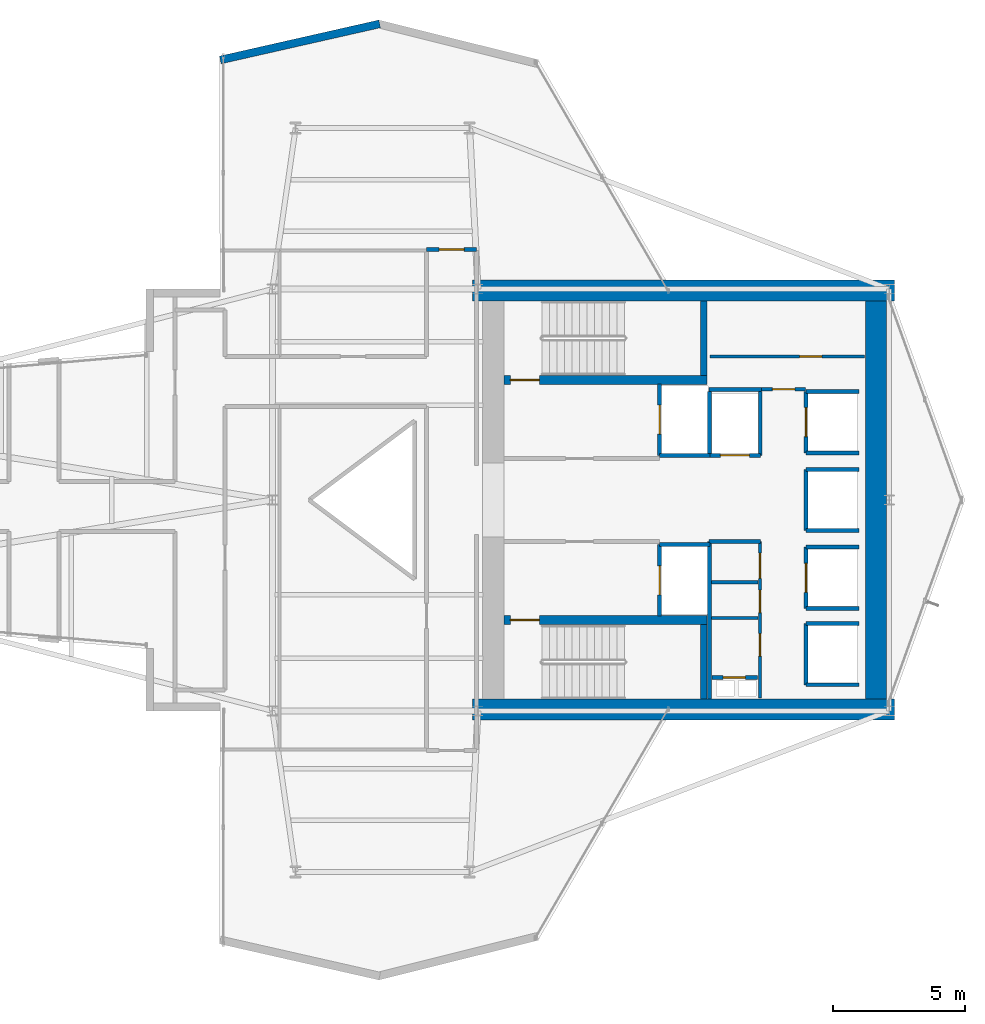
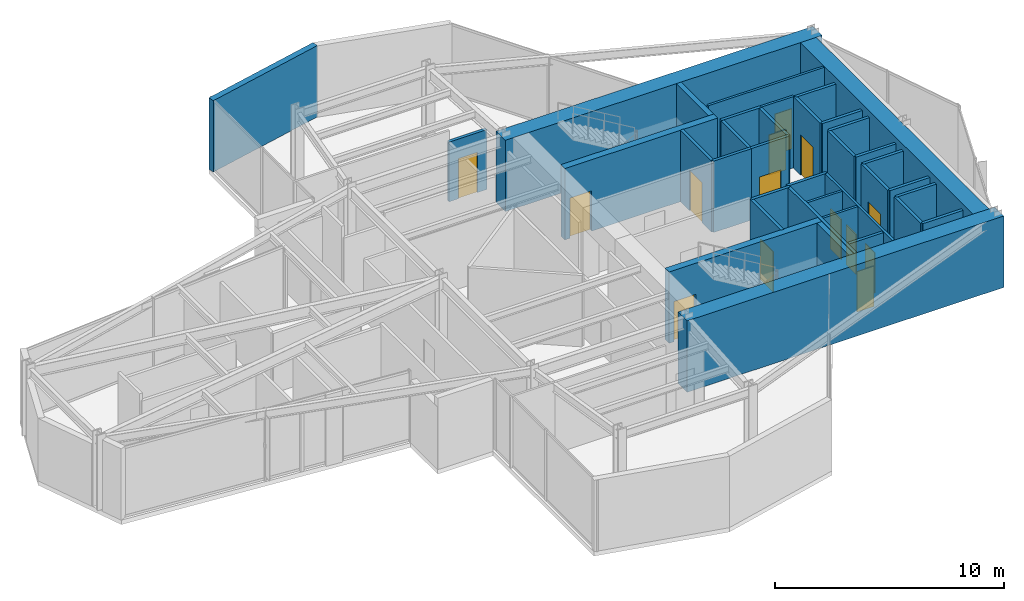
# One storey, part 23 of 25: 37 walls, 14 doors, 14 openings.
"""IFC4 building model written with IfcOpenShell, lengths in metres."""

import ifcopenshell
import ifcopenshell.guid

model = None  # the IFC model being written
_history = None  # IfcOwnerHistory: only IFC2X3 demands one
_inside = {}  # id of a spatial element -> (the spatial element, [elements in it])
_under = {}  # id of a project, library or spatial element -> (it, [spatial elements below it])
_declared = {}  # id of a project -> (the project, [libraries it declares])
_typed = {}  # id of a type object -> (the type object, [elements of that type])
_made_of = {}  # id of a material, layer set ... -> (it, [elements and type objects made of it])


def new_model(schema):
    """Start an empty IFC model of exactly this schema.

    Asked for "IFC4X3", IfcOpenShell would pick the latest addendum, in which some entities
    have other attributes; the version numbers below select the first issue.
    IFC2X3 requires an IfcOwnerHistory on every rooted entity: one is made here for all.
    """
    global model, _history
    if schema == "IFC4X3":
        model = ifcopenshell.file(schema_version=(4, 3, 0, 0))
    else:
        model = ifcopenshell.file(schema=schema)
    _inside.clear()
    _under.clear()
    _declared.clear()
    _typed.clear()
    _made_of.clear()
    _history = None
    if model.schema == "IFC2X3":
        org = make("IfcOrganization", Name="unknown")
        user = make(
            "IfcPersonAndOrganization",
            ThePerson=make("IfcPerson", FamilyName="unknown"),
            TheOrganization=org,
        )
        app = make(
            "IfcApplication",
            ApplicationDeveloper=org,
            Version="unknown",
            ApplicationFullName="unknown",
            ApplicationIdentifier="unknown",
        )
        _history = make(
            "IfcOwnerHistory",
            OwningUser=user,
            OwningApplication=app,
            ChangeAction="ADDED",
            CreationDate=0,
        )
    return model


def make(cls, **values):
    """One entity of the class cls with the attributes given. An attribute that is None is left unset."""
    return model.create_entity(
        cls, **{name: value for name, value in values.items() if value is not None}
    )


def rooted(cls, **values):
    """An entity with a GlobalId (a new one), such as an element, a storey or a relation."""
    return make(cls, GlobalId=ifcopenshell.guid.new(), OwnerHistory=_history, **values)


def si_unit(unit_type, name, prefix=None):
    """IfcSIUnit, for example si_unit("LENGTHUNIT", "METRE", prefix="MILLI")."""
    return make("IfcSIUnit", UnitType=unit_type, Prefix=prefix, Name=name)


def assignment(units):
    """IfcUnitAssignment: the units of a project."""
    return None if units is None else make("IfcUnitAssignment", Units=units)


def point(xyz):
    """IfcCartesianPoint."""
    return None if xyz is None else make("IfcCartesianPoint", Coordinates=xyz)


def direction(xyz):
    """IfcDirection."""
    return None if xyz is None else make("IfcDirection", DirectionRatios=xyz)


def frame(location, z_axis=None, x_axis=None):
    """IfcAxis2Placement3D, a coordinate frame: its origin and axes. An axis left out is left unset."""
    return make(
        "IfcAxis2Placement3D",
        Location=point(location),
        Axis=direction(z_axis),
        RefDirection=direction(x_axis),
    )


def frame_2d(location, x_axis=None):
    """IfcAxis2Placement2D, a coordinate frame in the plane: its origin and x axis."""
    return make(
        "IfcAxis2Placement2D", Location=point(location), RefDirection=direction(x_axis)
    )


def origin():
    """The frame at (0, 0, 0) with its axes left unset."""
    return frame((0.0, 0.0, 0.0))


def place(relative_to, where):
    """IfcLocalPlacement: puts the frame where relative to a parent placement (None: the world)."""
    return make(
        "IfcLocalPlacement", PlacementRelTo=relative_to, RelativePlacement=where
    )


def context(
    kind, dimensions, precision=None, world=None, true_north=None, identifier=None
):
    """IfcGeometricRepresentationContext, for example the 3D "Model" context."""
    return make(
        "IfcGeometricRepresentationContext",
        ContextIdentifier=identifier,
        ContextType=kind,
        CoordinateSpaceDimension=dimensions,
        Precision=precision,
        WorldCoordinateSystem=world,
        TrueNorth=true_north,
    )


def subcontext(parent, identifier, kind, view, scale=None):
    """IfcGeometricRepresentationSubContext, for example "Body" below "Model"."""
    return make(
        "IfcGeometricRepresentationSubContext",
        ContextIdentifier=identifier,
        ContextType=kind,
        ParentContext=parent,
        TargetScale=scale,
        TargetView=view,
    )


def project(units=None, contexts=None):
    """IfcProject with its units and contexts."""
    return rooted(
        "IfcProject",
        Name="project",
        RepresentationContexts=contexts,
        UnitsInContext=assignment(units),
    )


def spatial(cls, under=None, at=None, **own):
    """A site, building, storey or space (cls), placed at a placement, below another one or the project."""
    s = rooted(cls, ObjectPlacement=at, **own)
    if under is not None:
        _under.setdefault(under.id(), (under, []))[1].append(s)
    return s


def profile(cls, at=None, kind="AREA", **sizes):
    """A parametric profile (cls). Its sizes go by their IFC names, for example OverallWidth=200.0."""
    return make(cls, ProfileType=kind, Position=at, **sizes)


def rectangle(**sizes):
    """IfcRectangleProfileDef."""
    return profile("IfcRectangleProfileDef", **sizes)


def extrude(swept, where, along, depth):
    """IfcExtrudedAreaSolid: the profile swept, set in the frame where, extruded along a direction by depth."""
    return make(
        "IfcExtrudedAreaSolid",
        SweptArea=swept,
        Position=where,
        ExtrudedDirection=direction(along),
        Depth=depth,
    )


def shape(context_of_items, identifier, shape_type, items):
    """IfcShapeRepresentation: the items that make up one representation, for example the "Body"."""
    return make(
        "IfcShapeRepresentation",
        ContextOfItems=context_of_items,
        RepresentationIdentifier=identifier,
        RepresentationType=shape_type,
        Items=items,
    )


def material(Name=None, Category=None):
    """IfcMaterial."""
    return make("IfcMaterial", Name=Name, Category=Category)


def layer(
    of_material, thickness, ventilated=None, Name=None, Category=None, Priority=None
):
    """IfcMaterialLayer: one layer of a wall or slab, of a material (None: an air gap)."""
    return make(
        "IfcMaterialLayer",
        Material=of_material,
        LayerThickness=thickness,
        IsVentilated=ventilated,
        Name=Name,
        Category=Category,
        Priority=Priority,
    )


def layer_set(layers, Name=None):
    """IfcMaterialLayerSet."""
    return make("IfcMaterialLayerSet", MaterialLayers=layers, LayerSetName=Name)


def made_of(thing, what):
    """Note that an element or type object is made of a material, layer set ...; save() writes the relation."""
    if what is not None:
        _made_of.setdefault(what.id(), (what, []))[1].append(thing)
    return thing


def type_object(cls, material=None, **own):
    """A type object (cls), such as IfcWallType, which elements share."""
    return made_of(rooted(cls, **own), material)


def element(
    cls,
    number,
    at=None,
    inside=None,
    cuts=None,
    type_object=None,
    material=None,
    context=None,
    identifier="Body",
    shape_type=None,
    held_by="IfcProductDefinitionShape",
    body=None,
    shapes=None,
    **own,
):
    """One element of the class cls, such as IfcWall. Its Tag is "e" and its number.

    at: its placement. inside: the storey or other place that contains it. cuts: it is an
    opening in that element (IfcRelVoidsElement). A single representation is given by context,
    identifier, shape_type and body (its items); several are given by shapes. held_by: the class
    of the entity that holds the representations. save() writes the other relations.
    """
    e = rooted(cls, Tag="e%d" % number, ObjectPlacement=at, **own)
    if body is not None:
        shapes = [shape(context, identifier, shape_type, body)]
    if shapes is not None:
        e.Representation = make(held_by, Representations=shapes)
    if inside is not None:
        _inside.setdefault(inside.id(), (inside, []))[1].append(e)
    if cuts is not None:
        rooted(
            "IfcRelVoidsElement", RelatingBuildingElement=cuts, RelatedOpeningElement=e
        )
    if type_object is not None:
        _typed.setdefault(type_object.id(), (type_object, []))[1].append(e)
    return made_of(e, material)


def fill(opening, filler):
    """IfcRelFillsElement: the door or window that sits in an opening."""
    return rooted(
        "IfcRelFillsElement",
        RelatingOpeningElement=opening,
        RelatedBuildingElement=filler,
    )


def aggregate(whole, parts):
    """IfcRelAggregates: a whole, such as a stair, and the parts it consists of."""
    return rooted("IfcRelAggregates", RelatingObject=whole, RelatedObjects=parts)


def save(model, path):
    """Write the relations noted so far, then the file.

    IfcRelAggregates (storeys below a building ...), IfcRelContainedInSpatialStructure (elements
    in a storey), IfcRelDefinesByType, IfcRelAssociatesMaterial and IfcRelDeclares: one each for
    every whole, place, type object, material and project.
    """
    for whole, parts in _under.values():
        aggregate(whole, parts)
    for where, things in _inside.values():
        rooted(
            "IfcRelContainedInSpatialStructure",
            RelatedElements=things,
            RelatingStructure=where,
        )
    for kind, things in _typed.values():
        rooted("IfcRelDefinesByType", RelatedObjects=things, RelatingType=kind)
    for what, things in _made_of.values():
        rooted("IfcRelAssociatesMaterial", RelatedObjects=things, RelatingMaterial=what)
    for by, libraries in _declared.values():
        rooted("IfcRelDeclares", RelatingContext=by, RelatedDefinitions=libraries)
    model.write(path)


model = new_model("IFC4")

# Units and contexts
model_context = context("Model", 3, precision=1e-05, world=origin(), true_north=direction((0.0, 1.0)))
body_context = subcontext(model_context, "Body", "Model", "MODEL_VIEW")
ifc_project = project(units=[si_unit("LENGTHUNIT", "METRE"), si_unit("AREAUNIT", "SQUARE_METRE"), si_unit("VOLUMEUNIT", "CUBIC_METRE"), si_unit("PLANEANGLEUNIT", "RADIAN"), si_unit("MASSUNIT", "GRAM", prefix="KILO")], contexts=[model_context])

# Site, building, storey
site_placement = place(None, origin())
site = spatial("IfcSite", under=ifc_project, at=site_placement, CompositionType="ELEMENT")
building_placement = place(site_placement, origin())
building = spatial("IfcBuilding", under=site, at=building_placement, Name="Veymaron Broadcast Tower", CompositionType="ELEMENT")
storey_placement = place(building_placement, frame((0.0, 0.0, 169.5)))
storey = spatial("IfcBuildingStorey", under=building, at=storey_placement, Name="L39", CompositionType="ELEMENT", Elevation=169.5)

# Wall
ifc_material_1 = material(Name="Precast concrete C40/50 with mineral-wool insulation", Category="concrete")
ifc_layer_1 = layer(ifc_material_1, 0.300048828125)
ifc_layer_set_1 = layer_set([ifc_layer_1], Name="Precast concrete C40/50 with mineral-wool insulation")
wall_type_1 = type_object("IfcWallType", Name="WALL-EXT-300", PredefinedType="STANDARD", material=ifc_layer_set_1)
wall_1_placement = place(storey_placement, frame((35.27197265625, 42.064453125, 0.0), z_axis=(0.0, 0.0, 1.0), x_axis=(-0.975288491541, -0.220935190199, 0.0)))
element("IfcWall", 1, at=wall_1_placement, inside=storey, type_object=wall_type_1, Name="L39 notched corner facade pier 7-1", PredefinedType="STANDARD", context=body_context, shape_type="SweptSolid", body=[
    extrude(rectangle(XDim=6.200439453125, YDim=0.300048828125, at=frame_2d((3.10009765625, 0.0))), origin(), (0.0, 0.0, 1.0), 3.81005859375),
])

# Wall, opening, door
ifc_material_2 = material(Name="Gypsum fireboard and steel stud framing", Category="steel")
ifc_layer_2 = layer(ifc_material_2, 0.14990234375)
ifc_layer_set_2 = layer_set([ifc_layer_2], Name="Gypsum fireboard and steel stud framing")
wall_type_2 = type_object("IfcWallType", Name="WALL-FIRE-150", PredefinedType="PARTITIONING", material=ifc_layer_set_2)
wall_2_placement = place(storey_placement, frame((45.89501953125, 25.68994140625, 0.0), z_axis=(0.0, 0.0, 1.0), x_axis=(0.0, 1.0, 0.0)))
wall_2 = element("IfcWall", 2, at=wall_2_placement, inside=storey, type_object=wall_type_2, Name="L39 partition IW-L39-SHW-FFL-1", PredefinedType="PARTITIONING", context=body_context, shape_type="SweptSolid", body=[
    extrude(rectangle(XDim=2.719970703125, YDim=0.14990234375, at=frame_2d((1.35986328125, 0.0))), origin(), (0.0, 0.0, 1.0), 3.81005859375),
])
opening_1_placement = place(wall_2_placement, frame((0.81005859375, 0.0, 0.0)))
opening_1 = element("IfcOpeningElement", 3, at=opening_1_placement, cuts=wall_2, Name="Opening LD", PredefinedType="OPENING", context=body_context, shape_type="SweptSolid", body=[
    extrude(rectangle(XDim=1.10009765625, YDim=2.14990234375, at=frame_2d((0.550048828125, 1.074951171875))), frame((0.0, 0.0849609375, 0.0), z_axis=(0.0, -1.0, 0.0), x_axis=(1.0, 0.0, 0.0)), (0.0, 0.0, 1.0), 0.169921875),
])
ifc_material_3 = material(Name="Brushed stainless steel AISI 304", Category="steel")
door_type_1 = type_object("IfcDoorType", Name="DOOR-LIFT-1100", OperationType="DOUBLE_DOOR_SLIDING", PredefinedType="DOOR", material=ifc_material_3)
door_1_placement = place(opening_1_placement, frame((1.10009765625, 0.0, 0.0), z_axis=(0.0, 0.0, 1.0), x_axis=(-1.0, 0.0, 0.0)))
door_1 = element("IfcDoor", 4, at=door_1_placement, inside=storey, type_object=door_type_1, Name="L39 door LD-L39-FFL-1", OperationType="DOUBLE_DOOR_SLIDING", OverallHeight=2.14990234375, OverallWidth=1.10009765625, PredefinedType="DOOR", context=body_context, shape_type="SweptSolid", body=[
    extrude(rectangle(XDim=1.10009765625, YDim=2.14990234375, at=frame_2d((0.550048828125, 1.074951171875))), frame((0.0, 0.02490234375, 0.0), z_axis=(0.0, -1.0, 0.0), x_axis=(1.0, 0.0, 0.0)), (0.0, 0.0, 1.0), 0.050048828125),
])
fill(opening_1, door_1)

# Wall
wall_3_placement = place(storey_placement, frame((45.89501953125, 25.68994140625, 0.0), z_axis=(0.0, 0.0, 1.0), x_axis=(1.0, 0.0, 0.0)))
element("IfcWall", 5, at=wall_3_placement, inside=storey, type_object=wall_type_2, Name="L39 partition IW-L39-SHS-FFL-1", PredefinedType="PARTITIONING", context=body_context, shape_type="SweptSolid", body=[
    extrude(rectangle(XDim=1.9150390625, YDim=0.14990234375, at=frame_2d((0.95751953125, 0.0))), origin(), (0.0, 0.0, 1.0), 3.81005859375),
])

# Wall, opening, door
wall_4_placement = place(storey_placement, frame((45.89501953125, 19.590087890625, 0.0), z_axis=(0.0, 0.0, 1.0), x_axis=(0.0, 1.0, 0.0)))
wall_4 = element("IfcWall", 6, at=wall_4_placement, inside=storey, type_object=wall_type_2, Name="L39 partition IW-L39-SHW-FFL-2", PredefinedType="PARTITIONING", context=body_context, shape_type="SweptSolid", body=[
    extrude(rectangle(XDim=2.719970703125, YDim=0.14990234375, at=frame_2d((1.35986328125, 0.0))), origin(), (0.0, 0.0, 1.0), 3.81005859375),
])
opening_2_placement = place(wall_4_placement, frame((0.81005859375, 0.0, 0.0)))
opening_2 = element("IfcOpeningElement", 7, at=opening_2_placement, cuts=wall_4, Name="Opening LD", PredefinedType="OPENING", context=body_context, shape_type="SweptSolid", body=[
    extrude(rectangle(XDim=1.10009765625, YDim=2.14990234375, at=frame_2d((0.550048828125, 1.074951171875))), frame((0.0, 0.0849609375, 0.0), z_axis=(0.0, -1.0, 0.0), x_axis=(1.0, 0.0, 0.0)), (0.0, 0.0, 1.0), 0.169921875),
])
door_2_placement = place(opening_2_placement, frame((1.10009765625, 0.0, 0.0), z_axis=(0.0, 0.0, 1.0), x_axis=(-1.0, 0.0, 0.0)))
door_2 = element("IfcDoor", 8, at=door_2_placement, inside=storey, type_object=door_type_1, Name="L39 door LD-L39-FFL-2", OperationType="DOUBLE_DOOR_SLIDING", OverallHeight=2.14990234375, OverallWidth=1.10009765625, PredefinedType="DOOR", context=body_context, shape_type="SweptSolid", body=[
    extrude(rectangle(XDim=1.10009765625, YDim=2.14990234375, at=frame_2d((0.550048828125, 1.074951171875))), frame((0.0, 0.02490234375, 0.0), z_axis=(0.0, -1.0, 0.0), x_axis=(1.0, 0.0, 0.0)), (0.0, 0.0, 1.0), 0.050048828125),
])
fill(opening_2, door_2)

# Wall
wall_5_placement = place(storey_placement, frame((45.89501953125, 22.31005859375, 0.0), z_axis=(0.0, 0.0, 1.0), x_axis=(1.0, 0.0, 0.0)))
element("IfcWall", 9, at=wall_5_placement, inside=storey, type_object=wall_type_2, Name="L39 partition IW-L39-SHN-FFL-2", PredefinedType="PARTITIONING", context=body_context, shape_type="SweptSolid", body=[
    extrude(rectangle(XDim=1.9150390625, YDim=0.14990234375, at=frame_2d((0.95751953125, 0.0))), origin(), (0.0, 0.0, 1.0), 3.81005859375),
])

# Wall, opening, door
wall_6_placement = place(storey_placement, frame((47.7900390625, 25.695068359375, 0.0), z_axis=(0.0, 0.0, 1.0), x_axis=(1.0, 0.0, 0.0)))
wall_6 = element("IfcWall", 10, at=wall_6_placement, inside=storey, type_object=wall_type_2, Name="L39 partition IW-L39-SHS-SL-1", PredefinedType="PARTITIONING", context=body_context, shape_type="SweptSolid", body=[
    extrude(rectangle(XDim=1.919921875, YDim=0.14990234375, at=frame_2d((0.9599609375, 0.0))), origin(), (0.0, 0.0, 1.0), 3.81005859375),
])
opening_3_placement = place(wall_6_placement, frame((0.409912109375, 0.0, 0.0)))
opening_3 = element("IfcOpeningElement", 11, at=opening_3_placement, cuts=wall_6, Name="Opening LD", PredefinedType="OPENING", context=body_context, shape_type="SweptSolid", body=[
    extrude(rectangle(XDim=1.10009765625, YDim=2.14990234375, at=frame_2d((0.550048828125, 1.074951171875))), frame((0.0, 0.0849609375, 0.0), z_axis=(0.0, -1.0, 0.0), x_axis=(1.0, 0.0, 0.0)), (0.0, 0.0, 1.0), 0.169921875),
])
door_3_placement = place(opening_3_placement, frame((1.10009765625, 0.0, 0.0), z_axis=(0.0, 0.0, 1.0), x_axis=(-1.0, 0.0, 0.0)))
door_3 = element("IfcDoor", 12, at=door_3_placement, inside=storey, type_object=door_type_1, Name="L39 door LD-L39-SL-1", OperationType="DOUBLE_DOOR_SLIDING", OverallHeight=2.14990234375, OverallWidth=1.10009765625, PredefinedType="DOOR", context=body_context, shape_type="SweptSolid", body=[
    extrude(rectangle(XDim=1.10009765625, YDim=2.14990234375, at=frame_2d((0.550048828125, 1.074951171875))), frame((0.0, 0.02490234375, 0.0), z_axis=(0.0, -1.0, 0.0), x_axis=(1.0, 0.0, 0.0)), (0.0, 0.0, 1.0), 0.050048828125),
])
fill(opening_3, door_3)

# Walls
for number, where, z_axis, x_axis, name in (
    (13, (47.7900390625, 25.695068359375, 0.0), (0.0, 0.0, 1.0), (0.0, 1.0, 0.0), "L39 partition IW-L39-SHW-SL-1"),
    (14, (49.7099609375, 25.695068359375, 0.0), (0.0, 0.0, 1.0), (0.0, 1.0, 0.0), "L39 partition IW-L39-SHE-SL-1"),
):
    element("IfcWall", number, at=place(storey_placement, frame(where, z_axis=z_axis, x_axis=x_axis)), inside=storey, type_object=wall_type_2, Name=name, PredefinedType="PARTITIONING", context=body_context, shape_type="SweptSolid", body=[
        extrude(rectangle(XDim=2.4150390625, YDim=0.14990234375, at=frame_2d((1.20751953125, 0.0))), origin(), (0.0, 0.0, 1.0), 3.81005859375),
    ])

# Wall, opening, door
wall_7_placement = place(storey_placement, frame((51.445068359375, 25.7900390625, 0.0), z_axis=(0.0, 0.0, 1.0), x_axis=(0.0, 1.0, 0.0)))
wall_7 = element("IfcWall", 15, at=wall_7_placement, inside=storey, type_object=wall_type_2, Name="L39 partition IW-L39-SHW-PM1", PredefinedType="PARTITIONING", context=body_context, shape_type="SweptSolid", body=[
    extrude(rectangle(XDim=2.320068359375, YDim=0.14990234375, at=frame_2d((1.16015625, 0.0))), origin(), (0.0, 0.0, 1.0), 3.81005859375),
])
opening_4_placement = place(wall_7_placement, frame((0.610107421875, 0.0, 0.0)))
opening_4 = element("IfcOpeningElement", 16, at=opening_4_placement, cuts=wall_7, Name="Opening LD", PredefinedType="OPENING", context=body_context, shape_type="SweptSolid", body=[
    extrude(rectangle(XDim=1.10009765625, YDim=2.14990234375, at=frame_2d((0.550048828125, 1.074951171875))), frame((0.0, 0.0849609375, 0.0), z_axis=(0.0, -1.0, 0.0), x_axis=(1.0, 0.0, 0.0)), (0.0, 0.0, 1.0), 0.169921875),
])
door_4_placement = place(opening_4_placement, frame((1.10009765625, 0.0, 0.0), z_axis=(0.0, 0.0, 1.0), x_axis=(-1.0, 0.0, 0.0)))
door_4 = element("IfcDoor", 17, at=door_4_placement, inside=storey, type_object=door_type_1, Name="L39 door LD-L39-PM1", OperationType="DOUBLE_DOOR_SLIDING", OverallHeight=2.14990234375, OverallWidth=1.10009765625, PredefinedType="DOOR", context=body_context, shape_type="SweptSolid", body=[
    extrude(rectangle(XDim=1.10009765625, YDim=2.14990234375, at=frame_2d((0.550048828125, 1.074951171875))), frame((0.0, 0.02490234375, 0.0), z_axis=(0.0, -1.0, 0.0), x_axis=(1.0, 0.0, 0.0)), (0.0, 0.0, 1.0), 0.050048828125),
])
fill(opening_4, door_4)

# Walls
for number, where, z_axis, x_axis, name in (
    (18, (51.445068359375, 25.7900390625, 0.0), (0.0, 0.0, 1.0), (1.0, 0.0, 0.0), "L39 partition IW-L39-SHS-PM1"),
    (19, (51.445068359375, 28.110107421875, 0.0), (0.0, 0.0, 1.0), (1.0, 0.0, 0.0), "L39 partition IW-L39-SHN-PM1"),
):
    element("IfcWall", number, at=place(storey_placement, frame(where, z_axis=z_axis, x_axis=x_axis)), inside=storey, type_object=wall_type_2, Name=name, PredefinedType="PARTITIONING", context=body_context, shape_type="SweptSolid", body=[
        extrude(rectangle(XDim=2.014892578125, YDim=0.14990234375, at=frame_2d((1.00732421875, 0.0))), origin(), (0.0, 0.0, 1.0), 3.81005859375),
    ])

# Wall, opening, door
wall_8_placement = place(storey_placement, frame((51.445068359375, 19.889892578125, 0.0), z_axis=(0.0, 0.0, 1.0), x_axis=(0.0, 1.0, 0.0)))
wall_8 = element("IfcWall", 20, at=wall_8_placement, inside=storey, type_object=wall_type_2, Name="L39 partition IW-L39-SHW-PM2", PredefinedType="PARTITIONING", context=body_context, shape_type="SweptSolid", body=[
    extrude(rectangle(XDim=2.320068359375, YDim=0.14990234375, at=frame_2d((1.16015625, 0.0))), origin(), (0.0, 0.0, 1.0), 3.81005859375),
])
opening_5_placement = place(wall_8_placement, frame((0.610107421875, 0.0, 0.0)))
opening_5 = element("IfcOpeningElement", 21, at=opening_5_placement, cuts=wall_8, Name="Opening LD", PredefinedType="OPENING", context=body_context, shape_type="SweptSolid", body=[
    extrude(rectangle(XDim=1.10009765625, YDim=2.14990234375, at=frame_2d((0.550048828125, 1.074951171875))), frame((0.0, 0.0849609375, 0.0), z_axis=(0.0, -1.0, 0.0), x_axis=(1.0, 0.0, 0.0)), (0.0, 0.0, 1.0), 0.169921875),
])
door_5_placement = place(opening_5_placement, frame((1.10009765625, 0.0, 0.0), z_axis=(0.0, 0.0, 1.0), x_axis=(-1.0, 0.0, 0.0)))
door_5 = element("IfcDoor", 22, at=door_5_placement, inside=storey, type_object=door_type_1, Name="L39 door LD-L39-PM2", OperationType="DOUBLE_DOOR_SLIDING", OverallHeight=2.14990234375, OverallWidth=1.10009765625, PredefinedType="DOOR", context=body_context, shape_type="SweptSolid", body=[
    extrude(rectangle(XDim=1.10009765625, YDim=2.14990234375, at=frame_2d((0.550048828125, 1.074951171875))), frame((0.0, 0.02490234375, 0.0), z_axis=(0.0, -1.0, 0.0), x_axis=(1.0, 0.0, 0.0)), (0.0, 0.0, 1.0), 0.050048828125),
])
fill(opening_5, door_5)

# Walls
for number, where, z_axis, x_axis, name in (
    (23, (51.445068359375, 19.889892578125, 0.0), (0.0, 0.0, 1.0), (1.0, 0.0, 0.0), "L39 partition IW-L39-SHS-PM2"),
    (24, (51.445068359375, 22.2099609375, 0.0), (0.0, 0.0, 1.0), (1.0, 0.0, 0.0), "L39 partition IW-L39-SHN-PM2"),
):
    element("IfcWall", number, at=place(storey_placement, frame(where, z_axis=z_axis, x_axis=x_axis)), inside=storey, type_object=wall_type_2, Name=name, PredefinedType="PARTITIONING", context=body_context, shape_type="SweptSolid", body=[
        extrude(rectangle(XDim=2.014892578125, YDim=0.14990234375, at=frame_2d((1.00732421875, 0.0))), origin(), (0.0, 0.0, 1.0), 3.81005859375),
    ])
wall_9_placement = place(storey_placement, frame((51.445068359375, 22.840087890625, 0.0), z_axis=(0.0, 0.0, 1.0), x_axis=(0.0, 1.0, 0.0)))
element("IfcWall", 25, at=wall_9_placement, inside=storey, type_object=wall_type_2, Name="L39 partition IW-L39-SHW-PM3", PredefinedType="PARTITIONING", context=body_context, shape_type="SweptSolid", body=[
    extrude(rectangle(XDim=2.31982421875, YDim=0.14990234375, at=frame_2d((1.159912109375, 0.0))), origin(), (0.0, 0.0, 1.0), 3.81005859375),
])
for number, where, z_axis, x_axis, name in (
    (26, (51.445068359375, 22.840087890625, 0.0), (0.0, 0.0, 1.0), (1.0, 0.0, 0.0), "L39 partition IW-L39-SHS-PM3"),
    (27, (51.445068359375, 25.159912109375, 0.0), (0.0, 0.0, 1.0), (1.0, 0.0, 0.0), "L39 partition IW-L39-SHN-PM3"),
):
    element("IfcWall", number, at=place(storey_placement, frame(where, z_axis=z_axis, x_axis=x_axis)), inside=storey, type_object=wall_type_2, Name=name, PredefinedType="PARTITIONING", context=body_context, shape_type="SweptSolid", body=[
        extrude(rectangle(XDim=2.014892578125, YDim=0.14990234375, at=frame_2d((1.00732421875, 0.0))), origin(), (0.0, 0.0, 1.0), 3.81005859375),
    ])
wall_10_placement = place(storey_placement, frame((51.445068359375, 16.989990234375, 0.0), z_axis=(0.0, 0.0, 1.0), x_axis=(0.0, 1.0, 0.0)))
element("IfcWall", 28, at=wall_10_placement, inside=storey, type_object=wall_type_2, Name="L39 partition IW-L39-SHW-PH1", PredefinedType="PARTITIONING", context=body_context, shape_type="SweptSolid", body=[
    extrude(rectangle(XDim=2.320068359375, YDim=0.14990234375, at=frame_2d((1.16015625, 0.0))), origin(), (0.0, 0.0, 1.0), 3.81005859375),
])
for number, where, z_axis, x_axis, name in (
    (29, (51.445068359375, 16.989990234375, 0.0), (0.0, 0.0, 1.0), (1.0, 0.0, 0.0), "L39 partition IW-L39-SHS-PH1"),
    (30, (51.445068359375, 19.31005859375, 0.0), (0.0, 0.0, 1.0), (1.0, 0.0, 0.0), "L39 partition IW-L39-SHN-PH1"),
):
    element("IfcWall", number, at=place(storey_placement, frame(where, z_axis=z_axis, x_axis=x_axis)), inside=storey, type_object=wall_type_2, Name=name, PredefinedType="PARTITIONING", context=body_context, shape_type="SweptSolid", body=[
        extrude(rectangle(XDim=2.014892578125, YDim=0.14990234375, at=frame_2d((1.00732421875, 0.0))), origin(), (0.0, 0.0, 1.0), 3.81005859375),
    ])

# Wall, opening, door
wall_11_placement = place(storey_placement, frame((47.8798828125, 17.260009765625, 0.0), z_axis=(0.0, 0.0, 1.0), x_axis=(1.0, 0.0, 0.0)))
wall_11 = element("IfcWall", 31, at=wall_11_placement, inside=storey, type_object=wall_type_2, Name="L39 partition IW-L39-RIS-N", PredefinedType="PARTITIONING", context=body_context, shape_type="SweptSolid", body=[
    extrude(rectangle(XDim=1.72021484375, YDim=0.14990234375, at=frame_2d((0.860107421875, 0.0))), origin(), (0.0, 0.0, 1.0), 3.81005859375),
])
opening_6_placement = place(wall_11_placement, frame((0.419921875, 0.0, 0.0)))
opening_6 = element("IfcOpeningElement", 32, at=opening_6_placement, cuts=wall_11, Name="Opening ID-RS1", PredefinedType="OPENING", context=body_context, shape_type="SweptSolid", body=[
    extrude(rectangle(XDim=0.85009765625, YDim=2.14990234375, at=frame_2d((0.425048828125, 1.074951171875))), frame((0.0, 0.0849609375, 0.0), z_axis=(0.0, -1.0, 0.0), x_axis=(1.0, 0.0, 0.0)), (0.0, 0.0, 1.0), 0.169921875),
])
ifc_material_4 = material(Name="Fire-rated powder-coated steel riser leaf", Category="steel")
door_type_2 = type_object("IfcDoorType", Name="DOOR-RIS-850", OperationType="NOTDEFINED", PredefinedType="TRAPDOOR", material=ifc_material_4)
door_6_placement = place(opening_6_placement, origin())
door_6 = element("IfcDoor", 33, at=door_6_placement, inside=storey, type_object=door_type_2, Name="L39 door DR-L39-RIS", OperationType="SINGLE_SWING_LEFT", OverallHeight=2.14990234375, OverallWidth=0.85009765625, PredefinedType="TRAPDOOR", context=body_context, shape_type="SweptSolid", body=[
    extrude(rectangle(XDim=0.85009765625, YDim=2.14990234375, at=frame_2d((0.425048828125, 1.074951171875))), frame((0.0, 0.02490234375, 0.0), z_axis=(0.0, -1.0, 0.0), x_axis=(1.0, 0.0, 0.0)), (0.0, 0.0, 1.0), 0.050048828125),
])
fill(opening_6, door_6)

# Walls
wall_12_placement = place(storey_placement, frame((47.760009765625, 22.425048828125, 0.0), z_axis=(0.0, 0.0, 1.0), x_axis=(1.0, 0.0, 0.0)))
element("IfcWall", 34, at=wall_12_placement, inside=storey, type_object=wall_type_2, Name="L39 partition IW-L39-SM-N", PredefinedType="PARTITIONING", context=body_context, shape_type="SweptSolid", body=[
    extrude(rectangle(XDim=1.9599609375, YDim=0.14990234375, at=frame_2d((0.97998046875, 0.0))), origin(), (0.0, 0.0, 1.0), 3.81005859375),
])
wall_13_placement = place(storey_placement, frame((47.780029296875, 16.449951171875, 0.0), z_axis=(0.0, 0.0, 1.0), x_axis=(0.0, 1.0, 0.0)))
element("IfcWall", 35, at=wall_13_placement, inside=storey, type_object=wall_type_2, Name="L39 partition IW-L39-SM-W", PredefinedType="PARTITIONING", context=body_context, shape_type="SweptSolid", body=[
    extrude(rectangle(XDim=5.97509765625, YDim=0.14990234375, at=frame_2d((2.987548828125, 0.0))), origin(), (0.0, 0.0, 1.0), 3.81005859375),
])
wall_14_placement = place(storey_placement, frame((47.760009765625, 28.199951171875, 0.0), z_axis=(0.0, 0.0, 1.0), x_axis=(1.0, 0.0, 0.0)))
element("IfcWall", 36, at=wall_14_placement, inside=storey, type_object=wall_type_2, Name="L39 partition IW-L39-F1-SW", PredefinedType="PARTITIONING", context=body_context, shape_type="SweptSolid", body=[
    extrude(rectangle(XDim=1.989990234375, YDim=0.14990234375, at=frame_2d((0.9951171875, 0.0))), origin(), (0.0, 0.0, 1.0), 3.81005859375),
])

# Wall, opening, door
wall_15_placement = place(storey_placement, frame((37.050048828125, 33.5, 0.0), z_axis=(0.0, 0.0, 1.0), x_axis=(1.0, 0.0, 0.0)))
wall_15 = element("IfcWall", 37, at=wall_15_placement, inside=storey, type_object=wall_type_2, Name="L39 partition IW-L39-P27", PredefinedType="PARTITIONING", context=body_context, shape_type="SweptSolid", body=[
    extrude(rectangle(XDim=1.89990234375, YDim=0.14990234375, at=frame_2d((0.949951171875, 0.0))), origin(), (0.0, 0.0, 1.0), 3.18994140625),
])
opening_7_placement = place(wall_15_placement, frame((0.47509765625, 0.0, 0.0)))
opening_7 = element("IfcOpeningElement", 38, at=opening_7_placement, cuts=wall_15, Name="Opening ID-RM1", PredefinedType="OPENING", context=body_context, shape_type="SweptSolid", body=[
    extrude(rectangle(XDim=0.949951171875, YDim=2.14990234375, at=frame_2d((0.47509765625, 1.074951171875))), frame((0.0, 0.0849609375, 0.0), z_axis=(0.0, -1.0, 0.0), x_axis=(1.0, 0.0, 0.0)), (0.0, 0.0, 1.0), 0.169921875),
])
ifc_material_5 = material(Name="Acoustic solid-core European oak veneer timber", Category="wood")
door_type_3 = type_object("IfcDoorType", Name="DOOR-INT-950", OperationType="NOTDEFINED", PredefinedType="DOOR", material=ifc_material_5)
door_7_placement = place(opening_7_placement, origin())
door_7 = element("IfcDoor", 39, at=door_7_placement, inside=storey, type_object=door_type_3, Name="L39 door DR-L39-P27", OperationType="SINGLE_SWING_RIGHT", OverallHeight=2.14990234375, OverallWidth=0.949951171875, PredefinedType="DOOR", context=body_context, shape_type="SweptSolid", body=[
    extrude(rectangle(XDim=0.949951171875, YDim=2.14990234375, at=frame_2d((0.47509765625, 1.074951171875))), frame((0.0, 0.02490234375, 0.0), z_axis=(0.0, -1.0, 0.0), x_axis=(1.0, 0.0, 0.0)), (0.0, 0.0, 1.0), 0.050048828125),
])
fill(opening_7, door_7)

# Walls
ifc_material_6 = material(Name="Acoustic gypsum board and galvanized stud", Category="gypsum")
ifc_layer_3 = layer(ifc_material_6, 0.1201171875)
ifc_layer_set_3 = layer_set([ifc_layer_3], Name="Acoustic gypsum board and galvanized stud")
wall_type_3 = type_object("IfcWallType", Name="WALL-PART-120", PredefinedType="PARTITIONING", material=ifc_layer_set_3)
for number, where, z_axis, x_axis, name in (
    (40, (47.860107421875, 19.52001953125, 0.0), (0.0, 0.0, 1.0), (1.0, 0.0, 0.0), "L39 partition IW-L39-SM-D1"),
    (41, (47.860107421875, 20.8798828125, 0.0), (0.0, 0.0, 1.0), (1.0, 0.0, 0.0), "L39 partition IW-L39-SM-D2"),
):
    element("IfcWall", number, at=place(storey_placement, frame(where, z_axis=z_axis, x_axis=x_axis)), inside=storey, type_object=wall_type_3, Name=name, PredefinedType="PARTITIONING", context=body_context, shape_type="SweptSolid", body=[
        extrude(rectangle(XDim=1.760009765625, YDim=0.1201171875, at=frame_2d((0.8798828125, 0.0))), origin(), (0.0, 0.0, 1.0), 3.81005859375),
    ])

# Wall, openings, doors
wall_16_placement = place(storey_placement, frame((49.699951171875, 16.47998046875, 0.0), z_axis=(0.0, 0.0, 1.0), x_axis=(0.0, 1.0, 0.0)))
wall_16 = element("IfcWall", 42, at=wall_16_placement, inside=storey, type_object=wall_type_3, Name="L39 partition IW-L39-SM-E", PredefinedType="PARTITIONING", context=body_context, shape_type="SweptSolid", body=[
    extrude(rectangle(XDim=5.945068359375, YDim=0.1201171875, at=frame_2d((2.97265625, 0.0))), origin(), (0.0, 0.0, 1.0), 3.81005859375),
])
opening_8_placement = place(wall_16_placement, frame((1.60009765625, 0.0, 0.0)))
opening_8 = element("IfcOpeningElement", 43, at=opening_8_placement, cuts=wall_16, Name="Opening ID-WC1", PredefinedType="OPENING", context=body_context, shape_type="SweptSolid", body=[
    extrude(rectangle(XDim=0.85009765625, YDim=2.14990234375, at=frame_2d((0.425048828125, 1.074951171875))), frame((0.0, 0.070068359375, 0.0), z_axis=(0.0, -1.0, 0.0), x_axis=(1.0, 0.0, 0.0)), (0.0, 0.0, 1.0), 0.14013671875),
])
opening_9_placement = place(wall_16_placement, frame((3.25, 0.0, 0.0)))
opening_9 = element("IfcOpeningElement", 44, at=opening_9_placement, cuts=wall_16, Name="Opening ID-WC1", PredefinedType="OPENING", context=body_context, shape_type="SweptSolid", body=[
    extrude(rectangle(XDim=0.85009765625, YDim=2.14990234375, at=frame_2d((0.425048828125, 1.074951171875))), frame((0.0, 0.070068359375, 0.0), z_axis=(0.0, -1.0, 0.0), x_axis=(1.0, 0.0, 0.0)), (0.0, 0.0, 1.0), 0.14013671875),
])
opening_10_placement = place(wall_16_placement, frame((4.550048828125, 0.0, 0.0)))
opening_10 = element("IfcOpeningElement", 45, at=opening_10_placement, cuts=wall_16, Name="Opening ID-RM1", PredefinedType="OPENING", context=body_context, shape_type="SweptSolid", body=[
    extrude(rectangle(XDim=0.949951171875, YDim=2.14990234375, at=frame_2d((0.47509765625, 1.074951171875))), frame((0.0, 0.070068359375, 0.0), z_axis=(0.0, -1.0, 0.0), x_axis=(1.0, 0.0, 0.0)), (0.0, 0.0, 1.0), 0.14013671875),
])
ifc_material_7 = material(Name="Moisture-resistant high-pressure laminate timber", Category="wood")
door_type_4 = type_object("IfcDoorType", Name="DOOR-INT-850", OperationType="NOTDEFINED", PredefinedType="DOOR", material=ifc_material_7)
door_8_placement = place(opening_8_placement, frame((0.85009765625, 0.0, 0.0), z_axis=(0.0, 0.0, 1.0), x_axis=(-1.0, 0.0, 0.0)))
door_8 = element("IfcDoor", 46, at=door_8_placement, inside=storey, type_object=door_type_4, Name="L39 door DR-L39-JST", OperationType="SINGLE_SWING_LEFT", OverallHeight=2.14990234375, OverallWidth=0.85009765625, PredefinedType="DOOR", context=body_context, shape_type="SweptSolid", body=[
    extrude(rectangle(XDim=0.85009765625, YDim=2.14990234375, at=frame_2d((0.425048828125, 1.074951171875))), frame((0.0, 0.02490234375, 0.0), z_axis=(0.0, -1.0, 0.0), x_axis=(1.0, 0.0, 0.0)), (0.0, 0.0, 1.0), 0.050048828125),
])
fill(opening_8, door_8)
door_9_placement = place(opening_9_placement, frame((0.85009765625, 0.0, 0.0), z_axis=(0.0, 0.0, 1.0), x_axis=(-1.0, 0.0, 0.0)))
door_9 = element("IfcDoor", 47, at=door_9_placement, inside=storey, type_object=door_type_4, Name="L39 door DR-L39-SWC", OperationType="SINGLE_SWING_RIGHT", OverallHeight=2.14990234375, OverallWidth=0.85009765625, PredefinedType="DOOR", context=body_context, shape_type="SweptSolid", body=[
    extrude(rectangle(XDim=0.85009765625, YDim=2.14990234375, at=frame_2d((0.425048828125, 1.074951171875))), frame((0.0, 0.02490234375, 0.0), z_axis=(0.0, -1.0, 0.0), x_axis=(1.0, 0.0, 0.0)), (0.0, 0.0, 1.0), 0.050048828125),
])
fill(opening_9, door_9)
door_10_placement = place(opening_10_placement, frame((0.949951171875, 0.0, 0.0), z_axis=(0.0, 0.0, 1.0), x_axis=(-1.0, 0.0, 0.0)))
door_10 = element("IfcDoor", 48, at=door_10_placement, inside=storey, type_object=door_type_3, Name="L39 door DR-L39-AWC", OperationType="SINGLE_SWING_LEFT", OverallHeight=2.14990234375, OverallWidth=0.949951171875, PredefinedType="DOOR", context=body_context, shape_type="SweptSolid", body=[
    extrude(rectangle(XDim=0.949951171875, YDim=2.14990234375, at=frame_2d((0.47509765625, 1.074951171875))), frame((0.0, 0.02490234375, 0.0), z_axis=(0.0, -1.0, 0.0), x_axis=(1.0, 0.0, 0.0)), (0.0, 0.0, 1.0), 0.050048828125),
])
fill(opening_10, door_10)

# Wall, opening, door
wall_17_placement = place(storey_placement, frame((49.75, 28.199951171875, 0.0), z_axis=(0.0, 0.0, 1.0), x_axis=(1.0, 0.0, 0.0)))
wall_17 = element("IfcWall", 49, at=wall_17_placement, inside=storey, type_object=wall_type_3, Name="L39 partition IW-L39-F1-S", PredefinedType="PARTITIONING", context=body_context, shape_type="SweptSolid", body=[
    extrude(rectangle(XDim=1.669921875, YDim=0.1201171875, at=frame_2d((0.8349609375, 0.0))), origin(), (0.0, 0.0, 1.0), 3.81005859375),
])
opening_11_placement = place(wall_17_placement, frame((0.419921875, 0.0, 0.0)))
opening_11 = element("IfcOpeningElement", 50, at=opening_11_placement, cuts=wall_17, Name="Opening ID-WC1", PredefinedType="OPENING", context=body_context, shape_type="SweptSolid", body=[
    extrude(rectangle(XDim=0.85009765625, YDim=2.14990234375, at=frame_2d((0.425048828125, 1.074951171875))), frame((0.0, 0.070068359375, 0.0), z_axis=(0.0, -1.0, 0.0), x_axis=(1.0, 0.0, 0.0)), (0.0, 0.0, 1.0), 0.14013671875),
])
door_11_placement = place(opening_11_placement, origin())
door_11 = element("IfcDoor", 51, at=door_11_placement, inside=storey, type_object=door_type_4, Name="L39 door DR-L39-F1A", OperationType="SINGLE_SWING_LEFT", OverallHeight=2.14990234375, OverallWidth=0.85009765625, PredefinedType="DOOR", context=body_context, shape_type="SweptSolid", body=[
    extrude(rectangle(XDim=0.85009765625, YDim=2.14990234375, at=frame_2d((0.425048828125, 1.074951171875))), frame((0.0, 0.02490234375, 0.0), z_axis=(0.0, -1.0, 0.0), x_axis=(1.0, 0.0, 0.0)), (0.0, 0.0, 1.0), 0.050048828125),
])
fill(opening_11, door_11)

wall_18_placement = place(storey_placement, frame((47.800048828125, 29.449951171875, 0.0), z_axis=(0.0, 0.0, 1.0), x_axis=(1.0, 0.0, 0.0)))
wall_18 = element("IfcWall", 52, at=wall_18_placement, inside=storey, type_object=wall_type_3, Name="L39 partition IW-L39-F1-MY", PredefinedType="PARTITIONING", context=body_context, shape_type="SweptSolid", body=[
    extrude(rectangle(XDim=5.85986328125, YDim=0.1201171875, at=frame_2d((2.929931640625, 0.0))), origin(), (0.0, 0.0, 1.0), 3.81005859375),
])
opening_12_placement = place(wall_18_placement, frame((3.39990234375, 0.0, 0.0)))
opening_12 = element("IfcOpeningElement", 53, at=opening_12_placement, cuts=wall_18, Name="Opening ID-WC1", PredefinedType="OPENING", context=body_context, shape_type="SweptSolid", body=[
    extrude(rectangle(XDim=0.85009765625, YDim=2.14990234375, at=frame_2d((0.425048828125, 1.074951171875))), frame((0.0, 0.070068359375, 0.0), z_axis=(0.0, -1.0, 0.0), x_axis=(1.0, 0.0, 0.0)), (0.0, 0.0, 1.0), 0.14013671875),
])
door_12_placement = place(opening_12_placement, origin())
door_12 = element("IfcDoor", 54, at=door_12_placement, inside=storey, type_object=door_type_4, Name="L39 door DR-L39-F1B", OperationType="SINGLE_SWING_LEFT", OverallHeight=2.14990234375, OverallWidth=0.85009765625, PredefinedType="DOOR", context=body_context, shape_type="SweptSolid", body=[
    extrude(rectangle(XDim=0.85009765625, YDim=2.14990234375, at=frame_2d((0.425048828125, 1.074951171875))), frame((0.0, 0.02490234375, 0.0), z_axis=(0.0, -1.0, 0.0), x_axis=(1.0, 0.0, 0.0)), (0.0, 0.0, 1.0), 0.050048828125),
])
fill(opening_12, door_12)

# Walls
ifc_material_8 = material(Name="Concrete C50/60", Category="concrete")
ifc_layer_4 = layer(ifc_material_8, 0.25)
ifc_layer_set_4 = layer_set([ifc_layer_4], Name="Concrete C50/60")
wall_type_4 = type_object("IfcWallType", Name="WALL-SHEAR-250", PredefinedType="SHEAR", material=ifc_layer_set_4)
for number, where, z_axis, x_axis, name in (
    (55, (47.56494140625, 28.72998046875, 0.0), (0.0, 0.0, 1.0), (0.0, 1.0, 0.0), "L39 Core Wall north stair east shear"),
    (56, (47.56494140625, 16.449951171875, 0.0), (0.0, 0.0, 1.0), (0.0, 1.0, 0.0), "L39 Core Wall south stair east shear"),
):
    element("IfcWall", number, at=place(storey_placement, frame(where, z_axis=z_axis, x_axis=x_axis)), inside=storey, type_object=wall_type_4, Name=name, PredefinedType="SHEAR", context=body_context, shape_type="SweptSolid", body=[
        extrude(rectangle(XDim=2.820068359375, YDim=0.25, at=frame_2d((1.41015625, 0.0))), origin(), (0.0, 0.0, 1.0), 3.81005859375),
    ])

# Wall, opening, door
ifc_layer_5 = layer(ifc_material_8, 0.35009765625)
ifc_layer_set_5 = layer_set([ifc_layer_5], Name="Concrete C50/60")
wall_type_5 = type_object("IfcWallType", Name="WALL-SHEAR-350", PredefinedType="SHEAR", material=ifc_layer_set_5)
wall_19_placement = place(storey_placement, frame((39.97998046875, 28.554931640625, 0.0), z_axis=(0.0, 0.0, 1.0), x_axis=(1.0, 0.0, 0.0)))
wall_19 = element("IfcWall", 57, at=wall_19_placement, inside=storey, type_object=wall_type_5, Name="L39 Core Wall north stair spine", PredefinedType="SHEAR", context=body_context, shape_type="SweptSolid", body=[
    extrude(rectangle(XDim=7.7099609375, YDim=0.35009765625, at=frame_2d((3.85498046875, 0.0))), origin(), (0.0, 0.0, 1.0), 3.81005859375),
])
opening_13_placement = place(wall_19_placement, frame((0.25, 0.0, 0.0)))
opening_13 = element("IfcOpeningElement", 58, at=opening_13_placement, cuts=wall_19, Name="Opening ID-ST1", PredefinedType="OPENING", context=body_context, shape_type="SweptSolid", body=[
    extrude(rectangle(XDim=1.10009765625, YDim=2.14990234375, at=frame_2d((0.550048828125, 1.074951171875))), frame((0.0, 0.18505859375, 0.0), z_axis=(0.0, -1.0, 0.0), x_axis=(1.0, 0.0, 0.0)), (0.0, 0.0, 1.0), 0.3701171875),
])
ifc_material_9 = material(Name="Fire-rated painted hollow steel ASTM A653", Category="steel")
door_type_5 = type_object("IfcDoorType", Name="DOOR-STAIR-1100", OperationType="NOTDEFINED", PredefinedType="DOOR", material=ifc_material_9)
door_13_placement = place(opening_13_placement, origin())
door_13 = element("IfcDoor", 59, at=door_13_placement, inside=storey, type_object=door_type_5, Name="L39 exit stair ST1 fire door", OperationType="SINGLE_SWING_RIGHT", OverallHeight=2.14990234375, OverallWidth=1.10009765625, PredefinedType="DOOR", context=body_context, shape_type="SweptSolid", body=[
    extrude(rectangle(XDim=1.10009765625, YDim=2.14990234375, at=frame_2d((0.550048828125, 1.074951171875))), frame((0.0, 0.02490234375, 0.0), z_axis=(0.0, -1.0, 0.0), x_axis=(1.0, 0.0, 0.0)), (0.0, 0.0, 1.0), 0.050048828125),
])
fill(opening_13, door_13)

wall_20_placement = place(storey_placement, frame((39.97998046875, 19.445068359375, 0.0), z_axis=(0.0, 0.0, 1.0), x_axis=(1.0, 0.0, 0.0)))
wall_20 = element("IfcWall", 60, at=wall_20_placement, inside=storey, type_object=wall_type_5, Name="L39 Core Wall south stair spine", PredefinedType="SHEAR", context=body_context, shape_type="SweptSolid", body=[
    extrude(rectangle(XDim=7.7099609375, YDim=0.35009765625, at=frame_2d((3.85498046875, 0.0))), origin(), (0.0, 0.0, 1.0), 3.81005859375),
])
opening_14_placement = place(wall_20_placement, frame((0.25, 0.0, 0.0)))
opening_14 = element("IfcOpeningElement", 61, at=opening_14_placement, cuts=wall_20, Name="Opening ID-ST1", PredefinedType="OPENING", context=body_context, shape_type="SweptSolid", body=[
    extrude(rectangle(XDim=1.10009765625, YDim=2.14990234375, at=frame_2d((0.550048828125, 1.074951171875))), frame((0.0, 0.18505859375, 0.0), z_axis=(0.0, -1.0, 0.0), x_axis=(1.0, 0.0, 0.0)), (0.0, 0.0, 1.0), 0.3701171875),
])
door_14_placement = place(opening_14_placement, frame((1.10009765625, 0.0, 0.0), z_axis=(0.0, 0.0, 1.0), x_axis=(-1.0, 0.0, 0.0)))
door_14 = element("IfcDoor", 62, at=door_14_placement, inside=storey, type_object=door_type_5, Name="L39 exit stair ST2 fire door", OperationType="SINGLE_SWING_LEFT", OverallHeight=2.14990234375, OverallWidth=1.10009765625, PredefinedType="DOOR", context=body_context, shape_type="SweptSolid", body=[
    extrude(rectangle(XDim=1.10009765625, YDim=2.14990234375, at=frame_2d((0.550048828125, 1.074951171875))), frame((0.0, 0.02490234375, 0.0), z_axis=(0.0, -1.0, 0.0), x_axis=(1.0, 0.0, 0.0)), (0.0, 0.0, 1.0), 0.050048828125),
])
fill(opening_14, door_14)

# Walls
ifc_material_10 = material(Name="Concrete C60/75", Category="concrete")
ifc_layer_6 = layer(ifc_material_10, 0.800048828125)
ifc_layer_set_6 = layer_set([ifc_layer_6], Name="Concrete C60/75")
wall_type_6 = type_object("IfcWallType", Name="WALL-SHEAR-800", PredefinedType="SHEAR", material=ifc_layer_set_6)
for number, where, z_axis, x_axis, name in (
    (63, (38.800048828125, 31.949951171875, 0.0), (0.0, 0.0, 1.0), (1.0, 0.0, 0.0), "L39 Core Wall north shear"),
    (64, (38.800048828125, 16.050048828125, 0.0), (0.0, 0.0, 1.0), (1.0, 0.0, 0.0), "L39 Core Wall south shear"),
):
    element("IfcWall", number, at=place(storey_placement, frame(where, z_axis=z_axis, x_axis=x_axis)), inside=storey, type_object=wall_type_6, Name=name, PredefinedType="SHEAR", context=body_context, shape_type="SweptSolid", body=[
        extrude(rectangle(XDim=16.0, YDim=0.800048828125, at=frame_2d((8.0, 0.0))), origin(), (0.0, 0.0, 1.0), 3.81005859375),
    ])
wall_21_placement = place(storey_placement, frame((54.10009765625, 16.449951171875, 0.0), z_axis=(0.0, 0.0, 1.0), x_axis=(0.0, 1.0, 0.0)))
element("IfcWall", 65, at=wall_21_placement, inside=storey, type_object=wall_type_6, Name="L39 Core Wall east shear", PredefinedType="SHEAR", context=body_context, shape_type="SweptSolid", body=[
    extrude(rectangle(XDim=15.10009765625, YDim=0.800048828125, at=frame_2d((7.550048828125, 0.0))), origin(), (0.0, 0.0, 1.0), 3.81005859375),
])

save(model, "model.ifc")
